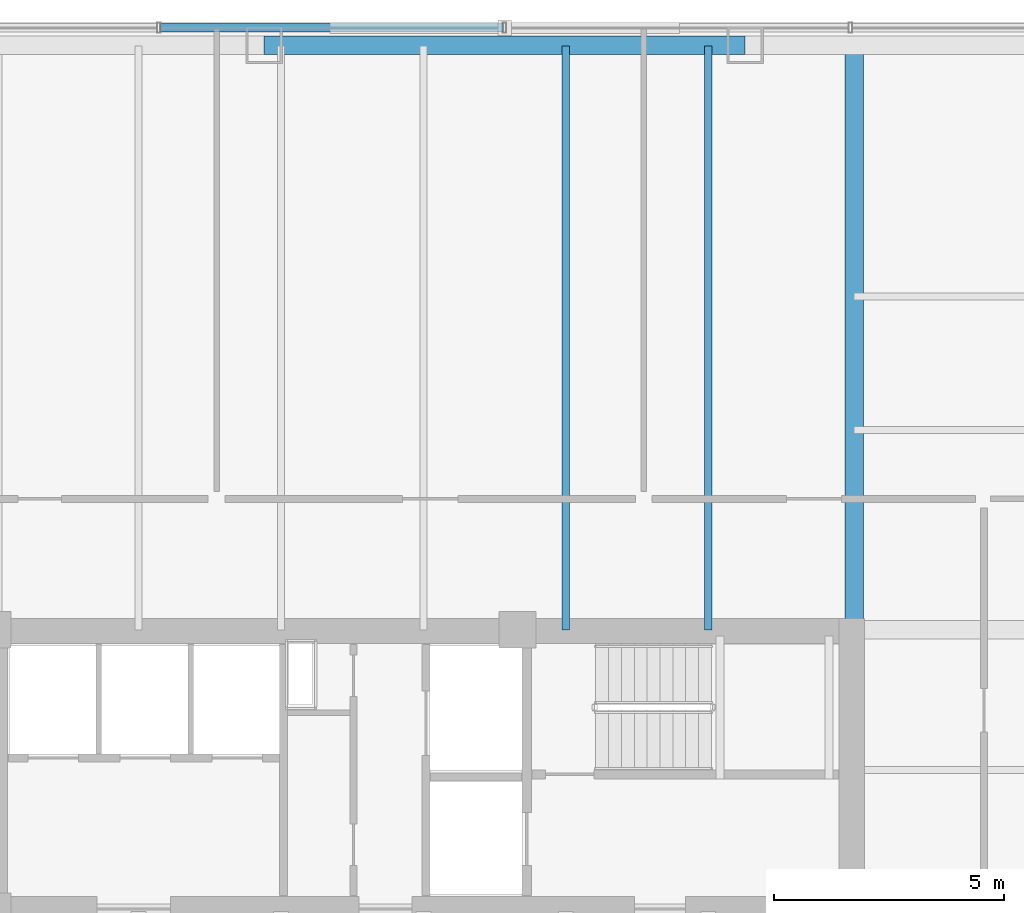
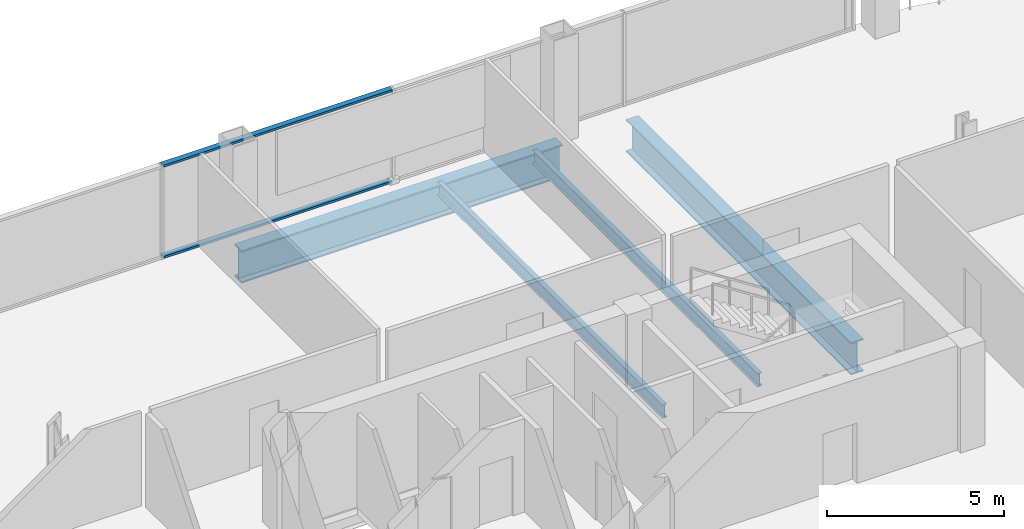
# One storey, part 16 of 24: 4 beams, 2 members, 1 element without a shape of its own.
"""IFC4 building model written with IfcOpenShell, lengths in metres."""

from ifc_helpers import new_model, si_unit, direction, frame, origin, origin_2d, place, context, subcontext, project, spatial, hollow_rectangle, i_section, extrude, material, layer, layer_set, material_profile, profile_set, type_object, element, aggregate, save


model = new_model("IFC4")

# Units and contexts
model_context = context("Model", 3, precision=1e-05, world=origin(), true_north=direction((0.0, 1.0)))
body_context = subcontext(model_context, "Body", "Model", "MODEL_VIEW")
ifc_project = project(units=[si_unit("LENGTHUNIT", "METRE"), si_unit("AREAUNIT", "SQUARE_METRE"), si_unit("VOLUMEUNIT", "CUBIC_METRE"), si_unit("PLANEANGLEUNIT", "RADIAN"), si_unit("MASSUNIT", "GRAM", prefix="KILO")], contexts=[model_context])

# Site, building, storey
site_placement = place(None, origin())
site = spatial("IfcSite", under=ifc_project, at=site_placement, CompositionType="ELEMENT")
building_placement = place(site_placement, origin())
building = spatial("IfcBuilding", under=site, at=building_placement, Name="Qhalaya Broadcast Tower", CompositionType="ELEMENT")
storey_placement = place(building_placement, frame((0.0, 0.0, 61.5)))
storey = spatial("IfcBuildingStorey", under=building, at=storey_placement, Name="L17", CompositionType="ELEMENT", Elevation=61.5)

# Beams
ifc_material_1 = material(Name="Structural Steel ASTM A992 Grade 50", Category="steel")
ifc_material_profile_1 = material_profile(ifc_material_1, i_section(OverallWidth=0.154052734375, OverallDepth=0.458984375, WebThickness=0.009033203125, FlangeThickness=0.015380859375, at=origin_2d()), Name="W18X46")
ifc_profile_set_1 = profile_set([ifc_material_profile_1], Name="Structural Steel ASTM A992 Grade 50")
beam_type_1 = type_object("IfcBeamType", Name="Composite Floor Joist J04", PredefinedType="JOIST", material=ifc_profile_set_1)
for number, where, z_axis, x_axis, name in (
    (1, (3.10009765625, 9.949951171875, -0.449462890625), (0.0, 1.0, 0.0), (-1.0, 0.0, 0.0), "L17 J04 L17-JNN4-1"),
    (2, (6.199951171875, 9.949951171875, -0.449462890625), (0.0, 1.0, 0.0), (-1.0, 0.0, 0.0), "L17 J04 L17-JNN5-1"),
):
    element("IfcBeam", number, at=place(storey_placement, frame(where, z_axis=z_axis, x_axis=x_axis)), inside=storey, type_object=beam_type_1, Name=name, PredefinedType="JOIST", context=body_context, shape_type="SweptSolid", body=[
        extrude(i_section(OverallWidth=0.154052734375, OverallDepth=0.458984375, WebThickness=0.009033203125, FlangeThickness=0.015380859375, at=origin_2d()), origin(), (0.0, 0.0, 1.0), 12.699951171875),
    ])
ifc_material_profile_2 = material_profile(ifc_material_1, i_section(OverallWidth=0.404052734375, OverallDepth=1.117919921875, WebThickness=0.026123046875, FlangeThickness=0.044921875, at=origin_2d()), Name="W44X335")
ifc_profile_set_2 = profile_set([ifc_material_profile_2], Name="Structural Steel ASTM A992 Grade 50")
beam_type_2 = type_object("IfcBeamType", Name="Podium Long-Span Primary Girder PG1", PredefinedType="USERDEFINED", material=ifc_profile_set_2)
beam_1_placement = place(storey_placement, frame((7.00341796875, 22.669921875, -0.779052734375), z_axis=(-1.0, 0.0, 0.0), x_axis=(0.0, -1.0, 0.0)))
element("IfcBeam", 3, at=beam_1_placement, inside=storey, type_object=beam_type_2, Name="L17 PG1 L17-SPR-10", ObjectType="GIRDER", PredefinedType="USERDEFINED", context=body_context, shape_type="SweptSolid", body=[
    extrude(i_section(OverallWidth=0.404052734375, OverallDepth=1.117919921875, WebThickness=0.026123046875, FlangeThickness=0.044921875, at=origin_2d()), origin(), (0.0, 0.0, 1.0), 10.466796875),
])
beam_2_placement = place(storey_placement, frame((9.375, 9.949951171875, -0.779052734375), z_axis=(0.0, 1.0, 0.0), x_axis=(-1.0, 0.0, 0.0)))
element("IfcBeam", 4, at=beam_2_placement, inside=storey, type_object=beam_type_2, Name="L17 PG1 L17-PGXN2-1", ObjectType="GIRDER", PredefinedType="USERDEFINED", context=body_context, shape_type="SweptSolid", body=[
    extrude(i_section(OverallWidth=0.404052734375, OverallDepth=1.117919921875, WebThickness=0.026123046875, FlangeThickness=0.044921875, at=origin_2d()), origin(), (0.0, 0.0, 1.0), 12.699951171875),
])

# Curtain wall, members
ifc_material_2 = material(Name="Solar-Control Low-E Triple Glazing", Category="glass")
ifc_layer = layer(ifc_material_2, 0.219970703125, Name="Solar-Control Low-E Triple Glazing")
ifc_layer_set = layer_set([ifc_layer], Name="Solar-Control Low-E Triple Glazing")
curtain_wall_type = type_object("IfcCurtainWallType", Name="Recessed Sky-Garden Neck Ribbon Curtain Wall CW-05", PredefinedType="NOTDEFINED", material=ifc_layer_set)
curtain_wall_placement = place(storey_placement, origin())
curtain_wall = element("IfcCurtainWall", 5, at=curtain_wall_placement, inside=storey, type_object=curtain_wall_type, Name="L17 Unitised Curtain Wall L17-CW-N", PredefinedType="NOTDEFINED")
ifc_material_3 = material(Name="Anodised Aluminium 6063-T6", Category="aluminium")
ifc_material_profile_3 = material_profile(ifc_material_3, hollow_rectangle(XDim=0.074951171875, YDim=0.179931640625, WallThickness=0.00390625, at=origin_2d()), Name="ALU-TRN 75x180x4")
ifc_profile_set_3 = profile_set([ifc_material_profile_3], Name="Anodised Aluminium 6063-T6")
member_type = type_object("IfcMemberType", Name="Unitised Curtain-Wall Transom T01", PredefinedType="USERDEFINED", material=ifc_profile_set_3)
member_1_placement = place(storey_placement, frame((1.732421875, 23.050048828125, 0.03759765625), z_axis=(-1.0, 0.0, 0.0), x_axis=(0.0, 0.0, 1.0)))
member_1 = element("IfcMember", 6, at=member_1_placement, type_object=member_type, Name="CW-05 transom 3.1", ObjectType="TRANSOM", PredefinedType="USERDEFINED", context=body_context, shape_type="SweptSolid", body=[
    extrude(hollow_rectangle(XDim=0.074951171875, YDim=0.179931640625, WallThickness=0.00390625, at=origin_2d()), origin(), (0.0, 0.0, 1.0), 7.449951171875),
])
member_2_placement = place(storey_placement, frame((1.732421875, 23.050048828125, 3.1826171875), z_axis=(-1.0, 0.0, 0.0), x_axis=(0.0, 0.0, 1.0)))
member_2 = element("IfcMember", 7, at=member_2_placement, type_object=member_type, Name="CW-05 transom 3.2", ObjectType="TRANSOM", PredefinedType="USERDEFINED", context=body_context, shape_type="SweptSolid", body=[
    extrude(hollow_rectangle(XDim=0.074951171875, YDim=0.179931640625, WallThickness=0.00390625, at=origin_2d()), origin(), (0.0, 0.0, 1.0), 7.449951171875),
])
aggregate(curtain_wall, [member_1, member_2])

save(model, "model.ifc")
